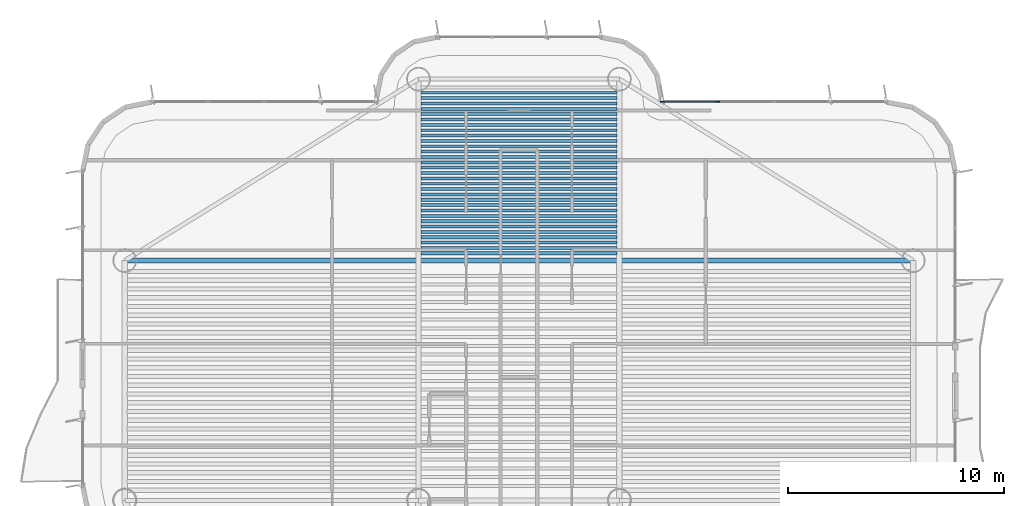
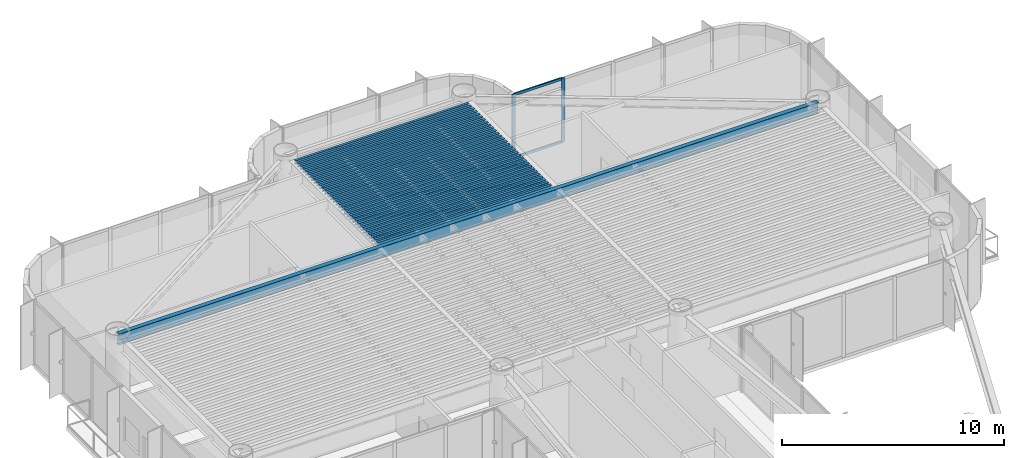
# One storey, part 6 of 14: 32 beams, 4 members, 1 element without a shape of its own.
"""IFC4 building model written with IfcOpenShell, lengths in metres."""

from ifc_helpers import new_model, si_unit, direction, frame, origin, origin_2d, place, context, subcontext, project, spatial, rectangle, i_section, extrude, source, transform, mapped, material, layer, layer_set, material_profile, profile_set, type_object, element, aggregate, save


model = new_model("IFC4")

# Units and contexts
model_context = context("Model", 3, precision=1e-05, world=origin(), true_north=direction((0.0, 1.0)))
body_context = subcontext(model_context, "Body", "Model", "MODEL_VIEW")
ifc_project = project(units=[si_unit("LENGTHUNIT", "METRE"), si_unit("AREAUNIT", "SQUARE_METRE"), si_unit("VOLUMEUNIT", "CUBIC_METRE"), si_unit("PLANEANGLEUNIT", "RADIAN"), si_unit("MASSUNIT", "GRAM", prefix="KILO")], contexts=[model_context])

# Site, building, storey
site_placement = place(None, origin())
site = spatial("IfcSite", under=ifc_project, at=site_placement, CompositionType="ELEMENT")
building_placement = place(site_placement, origin())
building = spatial("IfcBuilding", under=site, at=building_placement, Name="Brelvock Crest Care Tower", CompositionType="ELEMENT")
storey_placement = place(building_placement, frame((0.0, 0.0, 198.0)))
storey = spatial("IfcBuildingStorey", under=building, at=storey_placement, Name="L50", CompositionType="ELEMENT", Elevation=198.0)

# Beams
ifc_material_1 = material(Name="Steel Grade 350", Category="steel")
ifc_material_profile_1 = material_profile(ifc_material_1, i_section(OverallWidth=0.14599609375, OverallDepth=0.256103515625, WebThickness=0.00634765625, FlangeThickness=0.010986328125, FilletRadius=0.0087890625, at=origin_2d()), Name="250UB37.3")
ifc_profile_set_1 = profile_set([ifc_material_profile_1], Name="Steel Grade 350")
beam_type_1 = type_object("IfcBeamType", Name="BM-J3", PredefinedType="JOIST", material=ifc_profile_set_1)
shared_shape_1 = source(origin(), body_context, "Body", "SweptSolid", [
    extrude(i_section(OverallWidth=0.14599609375, OverallDepth=0.256103515625, WebThickness=0.00634765625, FlangeThickness=0.010986328125, FilletRadius=0.0087890625, at=origin_2d()), origin(), (0.0, 0.0, 1.0), 9.06982421875),
])
for number, where, z_axis, x_axis, name in (
    (1, (31.465087890625, 46.385986328125, 3.402099609375), (1.0, 0.0, 0.0), (0.0, 1.0, 0.0), "BM-JN-L50-1"),
    (2, (31.465087890625, 46.6337890625, 3.402099609375), (1.0, 0.0, 0.0), (0.0, 1.0, 0.0), "BM-JN-L50-2"),
    (3, (31.465087890625, 46.881591796875, 3.402099609375), (1.0, 0.0, 0.0), (0.0, 1.0, 0.0), "BM-JN-L50-3"),
    (4, (31.465087890625, 47.12939453125, 3.402099609375), (1.0, 0.0, 0.0), (0.0, 1.0, 0.0), "BM-JN-L50-4"),
    (5, (31.465087890625, 47.377197265625, 3.402099609375), (1.0, 0.0, 0.0), (0.0, 1.0, 0.0), "BM-JN-L50-5"),
    (6, (31.465087890625, 47.625, 3.402099609375), (1.0, 0.0, 0.0), (0.0, 1.0, 0.0), "BM-JN-L50-6"),
    (7, (31.465087890625, 47.872802734375, 3.402099609375), (1.0, 0.0, 0.0), (0.0, 1.0, 0.0), "BM-JN-L50-7"),
    (8, (31.465087890625, 48.12060546875, 3.402099609375), (1.0, 0.0, 0.0), (0.0, 1.0, 0.0), "BM-JN-L50-8"),
    (9, (31.465087890625, 48.368408203125, 3.402099609375), (1.0, 0.0, 0.0), (0.0, 1.0, 0.0), "BM-JN-L50-9"),
    (10, (31.465087890625, 48.6162109375, 3.402099609375), (1.0, 0.0, 0.0), (0.0, 1.0, 0.0), "BM-JN-L50-10"),
    (11, (31.465087890625, 48.864013671875, 3.402099609375), (1.0, 0.0, 0.0), (0.0, 1.0, 0.0), "BM-JN-L50-11"),
    (12, (31.465087890625, 49.11181640625, 3.402099609375), (1.0, 0.0, 0.0), (0.0, 1.0, 0.0), "BM-JN-L50-12"),
    (13, (31.465087890625, 49.359619140625, 3.402099609375), (1.0, 0.0, 0.0), (0.0, 1.0, 0.0), "BM-JN-L50-13"),
):
    element("IfcBeam", number, at=place(storey_placement, frame(where, z_axis=z_axis, x_axis=x_axis)), inside=storey, type_object=beam_type_1, Name=name, PredefinedType="JOIST", context=body_context, shape_type="MappedRepresentation", body=[
        mapped(shared_shape_1, transform((0.0, 0.0, 0.0), x_axis=(1.0, 0.0, 0.0), y_axis=(0.0, 1.0, 0.0), z_axis=(0.0, 0.0, 1.0), scale=1.0)),
    ])
ifc_material_profile_2 = material_profile(ifc_material_1, i_section(OverallWidth=0.134033203125, OverallDepth=0.20703125, WebThickness=0.00634765625, FlangeThickness=0.009521484375, FilletRadius=0.0087890625, at=origin_2d()), Name="200UB29.8")
ifc_profile_set_2 = profile_set([ifc_material_profile_2], Name="Steel Grade 350")
beam_type_2 = type_object("IfcBeamType", Name="BM-J4", PredefinedType="JOIST", material=ifc_profile_set_2)
shared_shape_2 = source(origin(), body_context, "Body", "SweptSolid", [
    extrude(i_section(OverallWidth=0.134033203125, OverallDepth=0.20703125, WebThickness=0.00634765625, FlangeThickness=0.009521484375, FilletRadius=0.0087890625, at=origin_2d()), origin(), (0.0, 0.0, 1.0), 9.06982421875),
])
for number, where, z_axis, x_axis, name in (
    (14, (31.465087890625, 49.607421875, 3.426513671875), (1.0, 0.0, 0.0), (0.0, 1.0, 0.0), "BM-JN-L50-14"),
    (15, (31.465087890625, 49.855224609375, 3.426513671875), (1.0, 0.0, 0.0), (0.0, 1.0, 0.0), "BM-JN-L50-15"),
    (16, (31.465087890625, 50.10302734375, 3.426513671875), (1.0, 0.0, 0.0), (0.0, 1.0, 0.0), "BM-JN-L50-16"),
    (17, (31.465087890625, 50.350830078125, 3.426513671875), (1.0, 0.0, 0.0), (0.0, 1.0, 0.0), "BM-JN-L50-17"),
    (18, (31.465087890625, 50.5986328125, 3.426513671875), (1.0, 0.0, 0.0), (0.0, 1.0, 0.0), "BM-JN-L50-18"),
    (19, (31.465087890625, 50.846435546875, 3.426513671875), (1.0, 0.0, 0.0), (0.0, 1.0, 0.0), "BM-JN-L50-19"),
    (20, (31.465087890625, 51.09423828125, 3.426513671875), (1.0, 0.0, 0.0), (0.0, 1.0, 0.0), "BM-JN-L50-20"),
    (21, (31.465087890625, 51.342041015625, 3.426513671875), (1.0, 0.0, 0.0), (0.0, 1.0, 0.0), "BM-JN-L50-21"),
    (22, (31.465087890625, 51.58984375, 3.426513671875), (1.0, 0.0, 0.0), (0.0, 1.0, 0.0), "BM-JN-L50-22"),
    (23, (31.465087890625, 51.837646484375, 3.426513671875), (1.0, 0.0, 0.0), (0.0, 1.0, 0.0), "BM-JN-L50-23"),
    (24, (31.465087890625, 52.08544921875, 3.426513671875), (1.0, 0.0, 0.0), (0.0, 1.0, 0.0), "BM-JN-L50-24"),
    (25, (31.465087890625, 52.333251953125, 3.426513671875), (1.0, 0.0, 0.0), (0.0, 1.0, 0.0), "BM-JN-L50-25"),
    (26, (31.465087890625, 52.5810546875, 3.426513671875), (1.0, 0.0, 0.0), (0.0, 1.0, 0.0), "BM-JN-L50-26"),
    (27, (31.465087890625, 52.828857421875, 3.426513671875), (1.0, 0.0, 0.0), (0.0, 1.0, 0.0), "BM-JN-L50-27"),
    (28, (31.465087890625, 53.07666015625, 3.426513671875), (1.0, 0.0, 0.0), (0.0, 1.0, 0.0), "BM-JN-L50-28"),
    (29, (31.465087890625, 53.324462890625, 3.426513671875), (1.0, 0.0, 0.0), (0.0, 1.0, 0.0), "BM-JN-L50-29"),
    (30, (31.465087890625, 53.572265625, 3.426513671875), (1.0, 0.0, 0.0), (0.0, 1.0, 0.0), "BM-JN-L50-30"),
    (31, (31.465087890625, 53.820068359375, 3.426513671875), (1.0, 0.0, 0.0), (0.0, 1.0, 0.0), "BM-JN-L50-31"),
):
    element("IfcBeam", number, at=place(storey_placement, frame(where, z_axis=z_axis, x_axis=x_axis)), inside=storey, type_object=beam_type_2, Name=name, PredefinedType="JOIST", context=body_context, shape_type="MappedRepresentation", body=[
        mapped(shared_shape_2, transform((0.0, 0.0, 0.0), x_axis=(1.0, 0.0, 0.0), y_axis=(0.0, 1.0, 0.0), z_axis=(0.0, 0.0, 1.0), scale=1.0)),
    ])
ifc_material_profile_3 = material_profile(ifc_material_1, i_section(OverallWidth=0.22900390625, OverallDepth=0.612060546875, WebThickness=0.011962890625, FlangeThickness=0.01953125, FilletRadius=0.013916015625, at=origin_2d()), Name="610UB125")
ifc_profile_set_3 = profile_set([ifc_material_profile_3], Name="Steel Grade 350")
beam_type_3 = type_object("IfcBeamType", Name="BM-G1", PredefinedType="BEAM", material=ifc_profile_set_3)
shared_shape_3 = source(origin(), body_context, "Body", "SweptSolid", [
    extrude(i_section(OverallWidth=0.22900390625, OverallDepth=0.612060546875, WebThickness=0.011962890625, FlangeThickness=0.01953125, FilletRadius=0.013916015625, at=origin_2d()), origin(), (0.0, 0.0, 1.0), 36.5),
])
beam_placement = place(storey_placement, frame((17.75, 46.050048828125, 3.22412109375), z_axis=(1.0, 0.0, 0.0), x_axis=(0.0, 1.0, 0.0)))
element("IfcBeam", 32, at=beam_placement, inside=storey, type_object=beam_type_3, Name="BM-TWR-L50-11", PredefinedType="BEAM", context=body_context, shape_type="MappedRepresentation", body=[
    mapped(shared_shape_3, transform((0.0, 0.0, 0.0), x_axis=(1.0, 0.0, 0.0), y_axis=(0.0, 1.0, 0.0), z_axis=(0.0, 0.0, 1.0), scale=1.0)),
])

# Curtain wall, members
ifc_material_2 = material(Name="Dark Glass Double Glazed Low-E", Category="glass")
ifc_layer = layer(ifc_material_2, 0.22509765625, Name="CWS-4")
ifc_layer_set = layer_set([ifc_layer], Name="Dark Glass Double Glazed Low-E")
curtain_wall_type = type_object("IfcCurtainWallType", Name="CWS-4", PredefinedType="NOTDEFINED", material=ifc_layer_set)
curtain_wall_placement = place(storey_placement, origin())
curtain_wall = element("IfcCurtainWall", 33, at=curtain_wall_placement, inside=storey, type_object=curtain_wall_type, Name="L50 Curtain Wall E34", PredefinedType="NOTDEFINED")
ifc_material_3 = material(Name="Aluminium 6063-T6", Category="aluminium")
ifc_material_profile_4 = material_profile(ifc_material_3, rectangle(XDim=0.06005859375, YDim=0.179931640625, at=origin_2d()), Name="ALU60x180")
ifc_profile_set_4 = profile_set([ifc_material_profile_4], Name="Aluminium 6063-T6")
member_type_1 = type_object("IfcMemberType", Name="CWM-2", PredefinedType="MULLION", material=ifc_profile_set_4)
shared_shape_4 = source(origin(), body_context, "Body", "SweptSolid", [
    extrude(rectangle(XDim=0.06005859375, YDim=0.179931640625, at=origin_2d()), origin(), (0.0, 0.0, 1.0), 3.530029296875),
])
member_1_placement = place(storey_placement, frame((42.6298828125, 53.39990234375, 0.0), z_axis=(0.0, 0.0, 1.0), x_axis=(0.0, 1.0, 0.0)))
member_1 = element("IfcMember", 34, at=member_1_placement, type_object=member_type_1, Name="CW-4 mullion 1", PredefinedType="MULLION", context=body_context, shape_type="MappedRepresentation", body=[
    mapped(shared_shape_4, transform((0.0, 0.0, 0.0), x_axis=(1.0, 0.0, 0.0), y_axis=(0.0, 1.0, 0.0), z_axis=(0.0, 0.0, 1.0), scale=1.0)),
])
member_2_placement = place(storey_placement, frame((45.199951171875, 53.39990234375, 0.0), z_axis=(0.0, 0.0, 1.0), x_axis=(0.0, 1.0, 0.0)))
member_2 = element("IfcMember", 35, at=member_2_placement, type_object=member_type_1, Name="CW-4 mullion 2", PredefinedType="MULLION", context=body_context, shape_type="MappedRepresentation", body=[
    mapped(shared_shape_4, transform((0.0, 0.0, 0.0), x_axis=(1.0, 0.0, 0.0), y_axis=(0.0, 1.0, 0.0), z_axis=(0.0, 0.0, 1.0), scale=1.0)),
])
ifc_material_profile_5 = material_profile(ifc_material_3, rectangle(XDim=0.06005859375, YDim=0.139892578125, at=origin_2d()), Name="ALU60x140")
ifc_profile_set_5 = profile_set([ifc_material_profile_5], Name="Aluminium 6063-T6")
member_type_2 = type_object("IfcMemberType", Name="CWT-2", PredefinedType="USERDEFINED", material=ifc_profile_set_5)
shared_shape_5 = source(origin(), body_context, "Body", "SweptSolid", [
    extrude(rectangle(XDim=0.06005859375, YDim=0.139892578125, at=origin_2d()), origin(), (0.0, 0.0, 1.0), 2.510009765625),
])
member_3_placement = place(storey_placement, frame((42.659912109375, 53.39990234375, 0.030029296875), z_axis=(1.0, 0.0, 0.0), x_axis=(0.0, 1.0, 0.0)))
member_3 = element("IfcMember", 36, at=member_3_placement, type_object=member_type_2, Name="CW-4 transom 1.1", ObjectType="TRANSOM", PredefinedType="USERDEFINED", context=body_context, shape_type="MappedRepresentation", body=[
    mapped(shared_shape_5, transform((0.0, 0.0, 0.0), x_axis=(1.0, 0.0, 0.0), y_axis=(0.0, 1.0, 0.0), z_axis=(0.0, 0.0, 1.0), scale=1.0)),
])
member_4_placement = place(storey_placement, frame((42.659912109375, 53.39990234375, 3.5), z_axis=(1.0, 0.0, 0.0), x_axis=(0.0, 1.0, 0.0)))
member_4 = element("IfcMember", 37, at=member_4_placement, type_object=member_type_2, Name="CW-4 transom 1.2", ObjectType="TRANSOM", PredefinedType="USERDEFINED", context=body_context, shape_type="MappedRepresentation", body=[
    mapped(shared_shape_5, transform((0.0, 0.0, 0.0), x_axis=(1.0, 0.0, 0.0), y_axis=(0.0, 1.0, 0.0), z_axis=(0.0, 0.0, 1.0), scale=1.0)),
])
aggregate(curtain_wall, [member_1, member_2, member_3, member_4])

save(model, "model.ifc")
